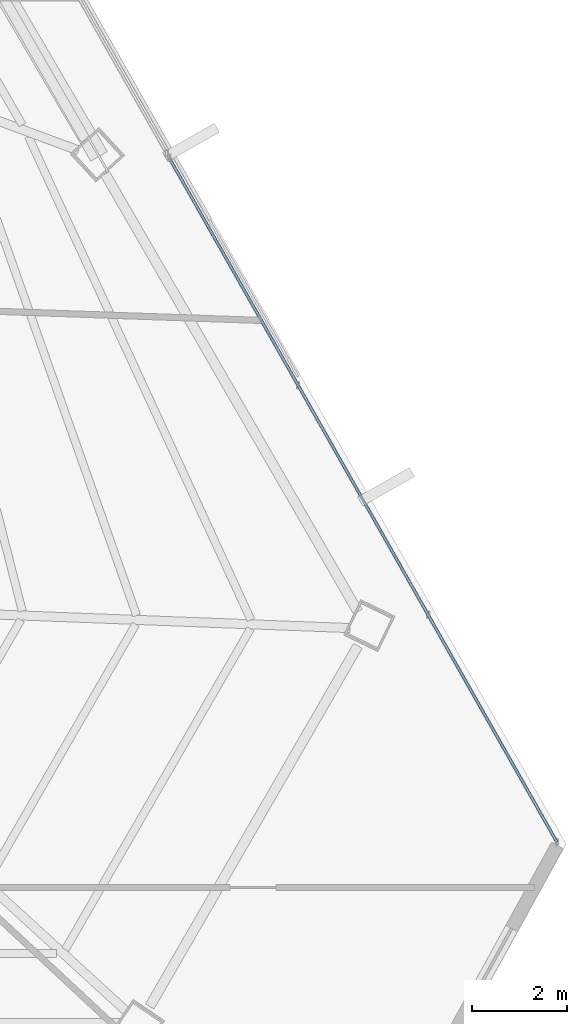
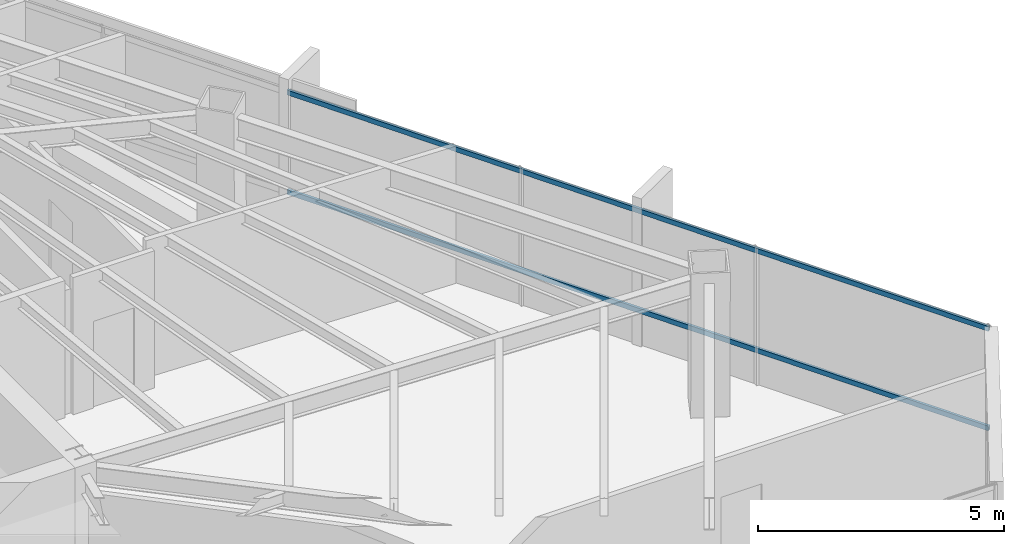
# One storey, part 23 of 40: 2 members, 1 element without a shape of its own.
"""IFC4 building model written with IfcOpenShell, lengths in metres."""

from ifc_helpers import new_model, si_unit, direction, frame, origin, origin_2d, place, context, subcontext, project, spatial, hollow_rectangle, extrude, source, transform, mapped, material, material_profile, profile_set, type_object, type_shapes, element, aggregate, save


model = new_model("IFC4")

# Units and contexts
model_context = context("Model", 3, precision=1e-05, world=origin(), true_north=direction((0.0, 1.0)))
body_context = subcontext(model_context, "Body", "Model", "MODEL_VIEW")
ifc_project = project(units=[si_unit("LENGTHUNIT", "METRE"), si_unit("AREAUNIT", "SQUARE_METRE"), si_unit("VOLUMEUNIT", "CUBIC_METRE"), si_unit("PLANEANGLEUNIT", "RADIAN"), si_unit("MASSUNIT", "GRAM", prefix="KILO")], contexts=[model_context])

# Site, building, storey
site_placement = place(None, origin())
site = spatial("IfcSite", under=ifc_project, at=site_placement, CompositionType="ELEMENT")
building_placement = place(site_placement, origin())
building = spatial("IfcBuilding", under=site, at=building_placement, Name="Caelisora Broadcast Tower", CompositionType="ELEMENT")
storey_placement = place(building_placement, frame((0.0, 0.0, 213.25)))
storey = spatial("IfcBuildingStorey", under=building, at=storey_placement, Name="L56", CompositionType="ELEMENT", Elevation=213.25)

# Curtain wall, members
ifc_material_1 = material(Name="Unitised Aluminium and Low-E Glass Curtain Wall", Category="glass")
curtain_wall_type = type_object("IfcCurtainWallType", Name="CW-Z4", PredefinedType="NOTDEFINED", material=ifc_material_1)
curtain_wall_placement = place(storey_placement, origin())
curtain_wall = element("IfcCurtainWall", 1, at=curtain_wall_placement, inside=storey, type_object=curtain_wall_type, Name="L56 curtain wall CW-Z4", PredefinedType="NOTDEFINED")
ifc_material_2 = material(Name="Aluminium 6063-T6 Anodised Terracotta Bronze", Category="aluminium")
ifc_material_profile = material_profile(ifc_material_2, hollow_rectangle(XDim=0.06005859375, YDim=0.1201171875, WallThickness=0.0029296875, at=origin_2d()), Name="Aluminium 6063-T6 Anodised Terracotta Bronze")
ifc_profile_set = profile_set([ifc_material_profile], Name="Aluminium 6063-T6 Anodised Terracotta Bronze")
member_type = type_object("IfcMemberType", Name="CWT-03", PredefinedType="USERDEFINED", material=ifc_profile_set)
shared_shape = source(origin(), body_context, "Body", "SweptSolid", [
    extrude(hollow_rectangle(XDim=0.06005859375, YDim=0.1201171875, WallThickness=0.0029296875, at=origin_2d()), origin(), (0.0, 0.0, 1.0), 16.526123046875),
])
type_shapes(member_type, [shared_shape])
member_1_placement = place(storey_placement, frame((55.798583984375, 26.740234375, 0.85009765625), z_axis=(0.492958523656, -0.870052811015, 0.0), x_axis=(0.870052811015, 0.492958523656, 0.0)))
member_1 = element("IfcMember", 2, at=member_1_placement, type_object=member_type, Name="L56-CW-B03 transom #1", ObjectType="TRANSOM", PredefinedType="USERDEFINED", context=body_context, shape_type="MappedRepresentation", body=[
    mapped(shared_shape, transform((0.0, 0.0, 0.0), scale=1.0)),
])
member_2_placement = place(storey_placement, frame((55.798583984375, 26.740234375, 3.320068359375), z_axis=(0.492958523656, -0.870052811015, 0.0), x_axis=(0.870052811015, 0.492958523656, 0.0)))
member_2 = element("IfcMember", 3, at=member_2_placement, type_object=member_type, Name="L56-CW-B03 transom #2", ObjectType="TRANSOM", PredefinedType="USERDEFINED", context=body_context, shape_type="MappedRepresentation", body=[
    mapped(shared_shape, transform((0.0, 0.0, 0.0), scale=1.0)),
])
aggregate(curtain_wall, [member_1, member_2])

save(model, "model.ifc")
